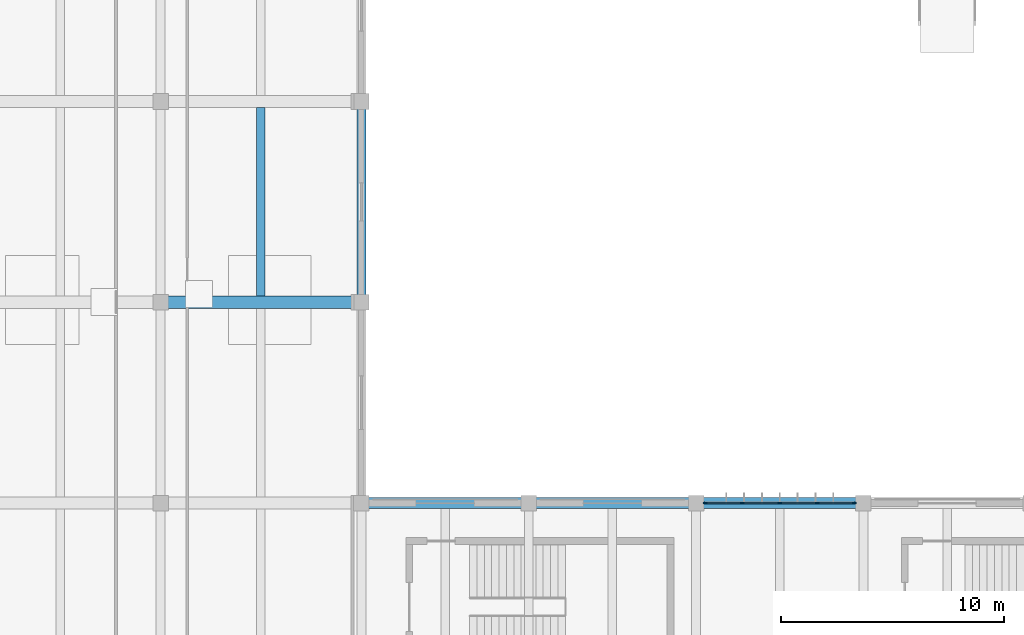
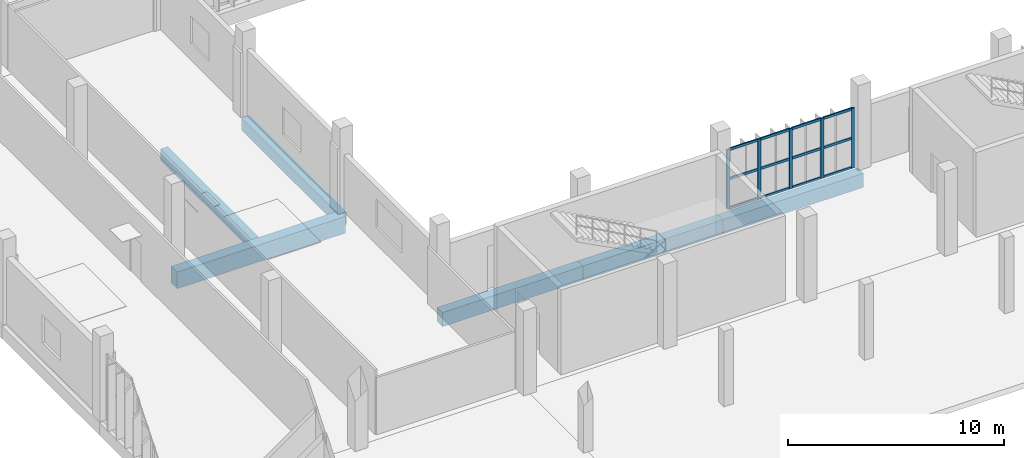
# One storey, part 10 of 72: 17 members, 6 beams, 1 element without a shape of its own.
"""IFC4 building model written with IfcOpenShell, lengths in metres."""

import ifcopenshell
import ifcopenshell.guid

model = None  # the IFC model being written
_history = None  # IfcOwnerHistory: only IFC2X3 demands one
_inside = {}  # id of a spatial element -> (the spatial element, [elements in it])
_under = {}  # id of a project, library or spatial element -> (it, [spatial elements below it])
_declared = {}  # id of a project -> (the project, [libraries it declares])
_typed = {}  # id of a type object -> (the type object, [elements of that type])
_made_of = {}  # id of a material, layer set ... -> (it, [elements and type objects made of it])


def new_model(schema):
    """Start an empty IFC model of exactly this schema.

    Asked for "IFC4X3", IfcOpenShell would pick the latest addendum, in which some entities
    have other attributes; the version numbers below select the first issue.
    IFC2X3 requires an IfcOwnerHistory on every rooted entity: one is made here for all.
    """
    global model, _history
    if schema == "IFC4X3":
        model = ifcopenshell.file(schema_version=(4, 3, 0, 0))
    else:
        model = ifcopenshell.file(schema=schema)
    _inside.clear()
    _under.clear()
    _declared.clear()
    _typed.clear()
    _made_of.clear()
    _history = None
    if model.schema == "IFC2X3":
        org = make("IfcOrganization", Name="unknown")
        user = make(
            "IfcPersonAndOrganization",
            ThePerson=make("IfcPerson", FamilyName="unknown"),
            TheOrganization=org,
        )
        app = make(
            "IfcApplication",
            ApplicationDeveloper=org,
            Version="unknown",
            ApplicationFullName="unknown",
            ApplicationIdentifier="unknown",
        )
        _history = make(
            "IfcOwnerHistory",
            OwningUser=user,
            OwningApplication=app,
            ChangeAction="ADDED",
            CreationDate=0,
        )
    return model


def make(cls, **values):
    """One entity of the class cls with the attributes given. An attribute that is None is left unset."""
    return model.create_entity(
        cls, **{name: value for name, value in values.items() if value is not None}
    )


def rooted(cls, **values):
    """An entity with a GlobalId (a new one), such as an element, a storey or a relation."""
    return make(cls, GlobalId=ifcopenshell.guid.new(), OwnerHistory=_history, **values)


def si_unit(unit_type, name, prefix=None):
    """IfcSIUnit, for example si_unit("LENGTHUNIT", "METRE", prefix="MILLI")."""
    return make("IfcSIUnit", UnitType=unit_type, Prefix=prefix, Name=name)


def assignment(units):
    """IfcUnitAssignment: the units of a project."""
    return None if units is None else make("IfcUnitAssignment", Units=units)


def point(xyz):
    """IfcCartesianPoint."""
    return None if xyz is None else make("IfcCartesianPoint", Coordinates=xyz)


def direction(xyz):
    """IfcDirection."""
    return None if xyz is None else make("IfcDirection", DirectionRatios=xyz)


def frame(location, z_axis=None, x_axis=None):
    """IfcAxis2Placement3D, a coordinate frame: its origin and axes. An axis left out is left unset."""
    return make(
        "IfcAxis2Placement3D",
        Location=point(location),
        Axis=direction(z_axis),
        RefDirection=direction(x_axis),
    )


def frame_2d(location, x_axis=None):
    """IfcAxis2Placement2D, a coordinate frame in the plane: its origin and x axis."""
    return make(
        "IfcAxis2Placement2D", Location=point(location), RefDirection=direction(x_axis)
    )


def origin():
    """The frame at (0, 0, 0) with its axes left unset."""
    return frame((0.0, 0.0, 0.0))


def origin_2d():
    """The frame at (0, 0) in the plane with its x axis left unset."""
    return frame_2d((0.0, 0.0))


def place(relative_to, where):
    """IfcLocalPlacement: puts the frame where relative to a parent placement (None: the world)."""
    return make(
        "IfcLocalPlacement", PlacementRelTo=relative_to, RelativePlacement=where
    )


def context(
    kind, dimensions, precision=None, world=None, true_north=None, identifier=None
):
    """IfcGeometricRepresentationContext, for example the 3D "Model" context."""
    return make(
        "IfcGeometricRepresentationContext",
        ContextIdentifier=identifier,
        ContextType=kind,
        CoordinateSpaceDimension=dimensions,
        Precision=precision,
        WorldCoordinateSystem=world,
        TrueNorth=true_north,
    )


def subcontext(parent, identifier, kind, view, scale=None):
    """IfcGeometricRepresentationSubContext, for example "Body" below "Model"."""
    return make(
        "IfcGeometricRepresentationSubContext",
        ContextIdentifier=identifier,
        ContextType=kind,
        ParentContext=parent,
        TargetScale=scale,
        TargetView=view,
    )


def project(units=None, contexts=None):
    """IfcProject with its units and contexts."""
    return rooted(
        "IfcProject",
        Name="project",
        RepresentationContexts=contexts,
        UnitsInContext=assignment(units),
    )


def spatial(cls, under=None, at=None, **own):
    """A site, building, storey or space (cls), placed at a placement, below another one or the project."""
    s = rooted(cls, ObjectPlacement=at, **own)
    if under is not None:
        _under.setdefault(under.id(), (under, []))[1].append(s)
    return s


def profile(cls, at=None, kind="AREA", **sizes):
    """A parametric profile (cls). Its sizes go by their IFC names, for example OverallWidth=200.0."""
    return make(cls, ProfileType=kind, Position=at, **sizes)


def rectangle(**sizes):
    """IfcRectangleProfileDef."""
    return profile("IfcRectangleProfileDef", **sizes)


def extrude(swept, where, along, depth):
    """IfcExtrudedAreaSolid: the profile swept, set in the frame where, extruded along a direction by depth."""
    return make(
        "IfcExtrudedAreaSolid",
        SweptArea=swept,
        Position=where,
        ExtrudedDirection=direction(along),
        Depth=depth,
    )


def shape(context_of_items, identifier, shape_type, items):
    """IfcShapeRepresentation: the items that make up one representation, for example the "Body"."""
    return make(
        "IfcShapeRepresentation",
        ContextOfItems=context_of_items,
        RepresentationIdentifier=identifier,
        RepresentationType=shape_type,
        Items=items,
    )


def material(Name=None, Category=None):
    """IfcMaterial."""
    return make("IfcMaterial", Name=Name, Category=Category)


def material_profile(
    of_material, cross_section, Name=None, Category=None, Priority=None
):
    """IfcMaterialProfile: a cross section and its material."""
    return make(
        "IfcMaterialProfile",
        Name=Name,
        Material=of_material,
        Profile=cross_section,
        Priority=Priority,
        Category=Category,
    )


def profile_set(profiles, Name=None, composite=None):
    """IfcMaterialProfileSet."""
    return make(
        "IfcMaterialProfileSet",
        Name=Name,
        MaterialProfiles=profiles,
        CompositeProfile=composite,
    )


def made_of(thing, what):
    """Note that an element or type object is made of a material, layer set ...; save() writes the relation."""
    if what is not None:
        _made_of.setdefault(what.id(), (what, []))[1].append(thing)
    return thing


def type_object(cls, material=None, **own):
    """A type object (cls), such as IfcWallType, which elements share."""
    return made_of(rooted(cls, **own), material)


def element(
    cls,
    number,
    at=None,
    inside=None,
    cuts=None,
    type_object=None,
    material=None,
    context=None,
    identifier="Body",
    shape_type=None,
    held_by="IfcProductDefinitionShape",
    body=None,
    shapes=None,
    **own,
):
    """One element of the class cls, such as IfcWall. Its Tag is "e" and its number.

    at: its placement. inside: the storey or other place that contains it. cuts: it is an
    opening in that element (IfcRelVoidsElement). A single representation is given by context,
    identifier, shape_type and body (its items); several are given by shapes. held_by: the class
    of the entity that holds the representations. save() writes the other relations.
    """
    e = rooted(cls, Tag="e%d" % number, ObjectPlacement=at, **own)
    if body is not None:
        shapes = [shape(context, identifier, shape_type, body)]
    if shapes is not None:
        e.Representation = make(held_by, Representations=shapes)
    if inside is not None:
        _inside.setdefault(inside.id(), (inside, []))[1].append(e)
    if cuts is not None:
        rooted(
            "IfcRelVoidsElement", RelatingBuildingElement=cuts, RelatedOpeningElement=e
        )
    if type_object is not None:
        _typed.setdefault(type_object.id(), (type_object, []))[1].append(e)
    return made_of(e, material)


def aggregate(whole, parts):
    """IfcRelAggregates: a whole, such as a stair, and the parts it consists of."""
    return rooted("IfcRelAggregates", RelatingObject=whole, RelatedObjects=parts)


def save(model, path):
    """Write the relations noted so far, then the file.

    IfcRelAggregates (storeys below a building ...), IfcRelContainedInSpatialStructure (elements
    in a storey), IfcRelDefinesByType, IfcRelAssociatesMaterial and IfcRelDeclares: one each for
    every whole, place, type object, material and project.
    """
    for whole, parts in _under.values():
        aggregate(whole, parts)
    for where, things in _inside.values():
        rooted(
            "IfcRelContainedInSpatialStructure",
            RelatedElements=things,
            RelatingStructure=where,
        )
    for kind, things in _typed.values():
        rooted("IfcRelDefinesByType", RelatedObjects=things, RelatingType=kind)
    for what, things in _made_of.values():
        rooted("IfcRelAssociatesMaterial", RelatedObjects=things, RelatingMaterial=what)
    for by, libraries in _declared.values():
        rooted("IfcRelDeclares", RelatingContext=by, RelatedDefinitions=libraries)
    model.write(path)


model = new_model("IFC4")

# Units and contexts
model_context = context("Model", 3, precision=1e-05, world=origin(), true_north=direction((0.0, 1.0)))
body_context = subcontext(model_context, "Body", "Model", "MODEL_VIEW")
ifc_project = project(units=[si_unit("LENGTHUNIT", "METRE"), si_unit("AREAUNIT", "SQUARE_METRE"), si_unit("VOLUMEUNIT", "CUBIC_METRE"), si_unit("PLANEANGLEUNIT", "RADIAN"), si_unit("MASSUNIT", "GRAM", prefix="KILO")], contexts=[model_context])

# Site, building, storey
site_placement = place(None, origin())
site = spatial("IfcSite", under=ifc_project, at=site_placement, CompositionType="ELEMENT")
building_placement = place(site_placement, origin())
building = spatial("IfcBuilding", under=site, at=building_placement, Name="Vourika Railside Aquatics Centre", CompositionType="ELEMENT")
storey_placement = place(building_placement, origin())
storey = spatial("IfcBuildingStorey", under=building, at=storey_placement, Name="L00", CompositionType="ELEMENT", Elevation=0.0)

# Beams
ifc_material_1 = material(Name="Concrete C35/45", Category="concrete")
ifc_material_profile_1 = material_profile(ifc_material_1, rectangle(XDim=0.39990234375, YDim=0.699951171875, at=origin_2d()), Name="RC 400x700")
ifc_profile_set_1 = profile_set([ifc_material_profile_1], Name="Concrete C35/45")
beam_type_1 = type_object("IfcBeamType", Name="BM-GIRD-400x700", PredefinedType="BEAM", material=ifc_profile_set_1)
beam_1_placement = place(storey_placement, frame((36.0, 75.0, -0.669921875), z_axis=(0.0, 1.0, 0.0), x_axis=(-1.0, 0.0, 0.0)))
element("IfcBeam", 1, at=beam_1_placement, inside=storey, type_object=beam_type_1, Name="Floor Girder GY-L00-216", PredefinedType="BEAM", context=body_context, shape_type="SweptSolid", body=[
    extrude(rectangle(XDim=0.39990234375, YDim=0.699951171875, at=origin_2d()), origin(), (0.0, 0.0, 1.0), 9.0),
])
ifc_material_2 = material(Name="Concrete C40/50", Category="concrete")
ifc_material_profile_2 = material_profile(ifc_material_2, rectangle(XDim=0.550048828125, YDim=0.949951171875, at=origin_2d()), Name="RC 550x950")
ifc_profile_set_2 = profile_set([ifc_material_profile_2], Name="Concrete C40/50")
beam_type_2 = type_object("IfcBeamType", Name="BM-GIRD-550x950", PredefinedType="BEAM", material=ifc_profile_set_2)
beam_2_placement = place(storey_placement, frame((27.0, 75.0, -0.794921875), z_axis=(1.0, 0.0, 0.0), x_axis=(0.0, 1.0, 0.0)))
element("IfcBeam", 2, at=beam_2_placement, inside=storey, type_object=beam_type_2, Name="Floor Beam GX-L00-115", PredefinedType="BEAM", context=body_context, shape_type="SweptSolid", body=[
    extrude(rectangle(XDim=0.550048828125, YDim=0.949951171875, at=origin_2d()), origin(), (0.0, 0.0, 1.0), 9.0),
])
ifc_material_profile_3 = material_profile(ifc_material_1, rectangle(XDim=0.3798828125, YDim=0.64990234375, at=origin_2d()), Name="RC 380x650")
ifc_profile_set_3 = profile_set([ifc_material_profile_3], Name="Concrete C35/45")
beam_type_3 = type_object("IfcBeamType", Name="BM-SEC-380x650", PredefinedType="JOIST", material=ifc_profile_set_3)
beam_3_placement = place(storey_placement, frame((31.5, 75.27490234375, -0.64501953125), z_axis=(0.0, 1.0, 0.0), x_axis=(-1.0, 0.0, 0.0)))
element("IfcBeam", 3, at=beam_3_placement, inside=storey, type_object=beam_type_3, Name="Secondary Joist JY-L00-425", PredefinedType="JOIST", context=body_context, shape_type="SweptSolid", body=[
    extrude(rectangle(XDim=0.3798828125, YDim=0.64990234375, at=origin_2d()), origin(), (0.0, 0.0, 1.0), 8.4501953125),
])
ifc_material_profile_4 = material_profile(ifc_material_2, rectangle(XDim=0.5, YDim=0.800048828125, at=origin_2d()), Name="RC 500x800")
ifc_profile_set_4 = profile_set([ifc_material_profile_4], Name="Concrete C40/50")
beam_type_4 = type_object("IfcBeamType", Name="BM-TIE-500x800", PredefinedType="BEAM", material=ifc_profile_set_4)
for number, where, z_axis, x_axis, name in (
    (4, (36.0, 66.0, -0.719970703125), (1.0, 0.0, 0.0), (0.0, 1.0, 0.0), "Floor Beam GX-L00-097"),
    (5, (43.5, 66.0, -0.719970703125), (1.0, 0.0, 0.0), (0.0, 1.0, 0.0), "Floor Beam GX-L00-098"),
    (6, (51.0, 66.0, -0.719970703125), (1.0, 0.0, 0.0), (0.0, 1.0, 0.0), "Floor Beam GX-L00-099"),
):
    element("IfcBeam", number, at=place(storey_placement, frame(where, z_axis=z_axis, x_axis=x_axis)), inside=storey, type_object=beam_type_4, Name=name, PredefinedType="BEAM", context=body_context, shape_type="SweptSolid", body=[
        extrude(rectangle(XDim=0.5, YDim=0.800048828125, at=origin_2d()), origin(), (0.0, 0.0, 1.0), 7.5),
    ])

# Curtain wall, members
ifc_material_3 = material(Name="Anodized thermally broken aluminium", Category="aluminium")
curtain_wall_type = type_object("IfcCurtainWallType", Name="CW-CRT0", PredefinedType="NOTDEFINED", material=ifc_material_3)
curtain_wall_placement = place(storey_placement, origin())
curtain_wall = element("IfcCurtainWall", 7, at=curtain_wall_placement, inside=storey, type_object=curtain_wall_type, Name="North Courtyard Undercroft Curtain Wall 3", PredefinedType="NOTDEFINED")
ifc_material_4 = material(Name="Anodized aluminium mullion", Category="aluminium")
ifc_material_profile_5 = material_profile(ifc_material_4, rectangle(XDim=0.070068359375, YDim=0.177978515625, at=origin_2d()), Name="ALU-M 70x178")
ifc_profile_set_5 = profile_set([ifc_material_profile_5], Name="Anodized aluminium mullion")
member_type_1 = type_object("IfcMemberType", Name="CWM-CRT0", PredefinedType="MULLION", material=ifc_profile_set_5)
member_1_placement = place(storey_placement, frame((58.0849609375, 66.0, 0.0), z_axis=(0.0, 0.0, 1.0), x_axis=(0.0, -1.0, 0.0)))
member_1 = element("IfcMember", 8, at=member_1_placement, type_object=member_type_1, Name="CW12 mullion 1", PredefinedType="MULLION", context=body_context, shape_type="SweptSolid", body=[
    extrude(rectangle(XDim=0.070068359375, YDim=0.177978515625, at=origin_2d()), origin(), (0.0, 0.0, 1.0), 3.3798828125),
])
member_2_placement = place(storey_placement, frame((56.43505859375, 66.0, 0.0), z_axis=(0.0, 0.0, 1.0), x_axis=(0.0, -1.0, 0.0)))
member_2 = element("IfcMember", 9, at=member_2_placement, type_object=member_type_1, Name="CW12 mullion 2", PredefinedType="MULLION", context=body_context, shape_type="SweptSolid", body=[
    extrude(rectangle(XDim=0.070068359375, YDim=0.177978515625, at=origin_2d()), origin(), (0.0, 0.0, 1.0), 3.3798828125),
])
member_3_placement = place(storey_placement, frame((54.75, 66.0, 0.0), z_axis=(0.0, 0.0, 1.0), x_axis=(0.0, -1.0, 0.0)))
member_3 = element("IfcMember", 10, at=member_3_placement, type_object=member_type_1, Name="CW12 mullion 3", PredefinedType="MULLION", context=body_context, shape_type="SweptSolid", body=[
    extrude(rectangle(XDim=0.070068359375, YDim=0.177978515625, at=origin_2d()), origin(), (0.0, 0.0, 1.0), 3.3798828125),
])
member_4_placement = place(storey_placement, frame((53.06494140625, 66.0, 0.0), z_axis=(0.0, 0.0, 1.0), x_axis=(0.0, -1.0, 0.0)))
member_4 = element("IfcMember", 11, at=member_4_placement, type_object=member_type_1, Name="CW12 mullion 4", PredefinedType="MULLION", context=body_context, shape_type="SweptSolid", body=[
    extrude(rectangle(XDim=0.070068359375, YDim=0.177978515625, at=origin_2d()), origin(), (0.0, 0.0, 1.0), 3.3798828125),
])
member_5_placement = place(storey_placement, frame((51.4150390625, 66.0, 0.0), z_axis=(0.0, 0.0, 1.0), x_axis=(0.0, -1.0, 0.0)))
member_5 = element("IfcMember", 12, at=member_5_placement, type_object=member_type_1, Name="CW12 mullion 5", PredefinedType="MULLION", context=body_context, shape_type="SweptSolid", body=[
    extrude(rectangle(XDim=0.070068359375, YDim=0.177978515625, at=origin_2d()), origin(), (0.0, 0.0, 1.0), 3.3798828125),
])
ifc_material_5 = material(Name="Anodized aluminium transom", Category="aluminium")
ifc_material_profile_6 = material_profile(ifc_material_5, rectangle(XDim=0.070068359375, YDim=0.139892578125, at=origin_2d()), Name="ALU-T 70x140")
ifc_profile_set_6 = profile_set([ifc_material_profile_6], Name="Anodized aluminium transom")
member_type_2 = type_object("IfcMemberType", Name="CWT-CRT0", PredefinedType="USERDEFINED", material=ifc_profile_set_6)
member_6_placement = place(storey_placement, frame((58.050048828125, 66.0, 0.034912109375), z_axis=(-1.0, 0.0, 0.0), x_axis=(0.0, -1.0, 0.0)))
member_6 = element("IfcMember", 13, at=member_6_placement, type_object=member_type_2, Name="CW12 transom 1.1", ObjectType="TRANSOM", PredefinedType="USERDEFINED", context=body_context, shape_type="SweptSolid", body=[
    extrude(rectangle(XDim=0.070068359375, YDim=0.139892578125, at=origin_2d()), origin(), (0.0, 0.0, 1.0), 1.580078125),
])
member_7_placement = place(storey_placement, frame((58.050048828125, 66.0, 1.68994140625), z_axis=(-1.0, 0.0, 0.0), x_axis=(0.0, -1.0, 0.0)))
member_7 = element("IfcMember", 14, at=member_7_placement, type_object=member_type_2, Name="CW12 transom 1.2", ObjectType="TRANSOM", PredefinedType="USERDEFINED", context=body_context, shape_type="SweptSolid", body=[
    extrude(rectangle(XDim=0.070068359375, YDim=0.139892578125, at=origin_2d()), origin(), (0.0, 0.0, 1.0), 1.580078125),
])
member_8_placement = place(storey_placement, frame((58.050048828125, 66.0, 3.344970703125), z_axis=(-1.0, 0.0, 0.0), x_axis=(0.0, -1.0, 0.0)))
member_8 = element("IfcMember", 15, at=member_8_placement, type_object=member_type_2, Name="CW12 transom 1.3", ObjectType="TRANSOM", PredefinedType="USERDEFINED", context=body_context, shape_type="SweptSolid", body=[
    extrude(rectangle(XDim=0.070068359375, YDim=0.139892578125, at=origin_2d()), origin(), (0.0, 0.0, 1.0), 1.580078125),
])
member_9_placement = place(storey_placement, frame((56.39990234375, 66.0, 0.034912109375), z_axis=(-1.0, 0.0, 0.0), x_axis=(0.0, -1.0, 0.0)))
member_9 = element("IfcMember", 16, at=member_9_placement, type_object=member_type_2, Name="CW12 transom 2.1", ObjectType="TRANSOM", PredefinedType="USERDEFINED", context=body_context, shape_type="SweptSolid", body=[
    extrude(rectangle(XDim=0.070068359375, YDim=0.139892578125, at=origin_2d()), origin(), (0.0, 0.0, 1.0), 1.614990234375),
])
member_10_placement = place(storey_placement, frame((56.39990234375, 66.0, 1.68994140625), z_axis=(-1.0, 0.0, 0.0), x_axis=(0.0, -1.0, 0.0)))
member_10 = element("IfcMember", 17, at=member_10_placement, type_object=member_type_2, Name="CW12 transom 2.2", ObjectType="TRANSOM", PredefinedType="USERDEFINED", context=body_context, shape_type="SweptSolid", body=[
    extrude(rectangle(XDim=0.070068359375, YDim=0.139892578125, at=origin_2d()), origin(), (0.0, 0.0, 1.0), 1.614990234375),
])
member_11_placement = place(storey_placement, frame((56.39990234375, 66.0, 3.344970703125), z_axis=(-1.0, 0.0, 0.0), x_axis=(0.0, -1.0, 0.0)))
member_11 = element("IfcMember", 18, at=member_11_placement, type_object=member_type_2, Name="CW12 transom 2.3", ObjectType="TRANSOM", PredefinedType="USERDEFINED", context=body_context, shape_type="SweptSolid", body=[
    extrude(rectangle(XDim=0.070068359375, YDim=0.139892578125, at=origin_2d()), origin(), (0.0, 0.0, 1.0), 1.614990234375),
])
member_12_placement = place(storey_placement, frame((54.715087890625, 66.0, 0.034912109375), z_axis=(-1.0, 0.0, 0.0), x_axis=(0.0, -1.0, 0.0)))
member_12 = element("IfcMember", 19, at=member_12_placement, type_object=member_type_2, Name="CW12 transom 3.1", ObjectType="TRANSOM", PredefinedType="USERDEFINED", context=body_context, shape_type="SweptSolid", body=[
    extrude(rectangle(XDim=0.070068359375, YDim=0.139892578125, at=origin_2d()), origin(), (0.0, 0.0, 1.0), 1.614990234375),
])
member_13_placement = place(storey_placement, frame((54.715087890625, 66.0, 1.68994140625), z_axis=(-1.0, 0.0, 0.0), x_axis=(0.0, -1.0, 0.0)))
member_13 = element("IfcMember", 20, at=member_13_placement, type_object=member_type_2, Name="CW12 transom 3.2", ObjectType="TRANSOM", PredefinedType="USERDEFINED", context=body_context, shape_type="SweptSolid", body=[
    extrude(rectangle(XDim=0.070068359375, YDim=0.139892578125, at=origin_2d()), origin(), (0.0, 0.0, 1.0), 1.614990234375),
])
member_14_placement = place(storey_placement, frame((54.715087890625, 66.0, 3.344970703125), z_axis=(-1.0, 0.0, 0.0), x_axis=(0.0, -1.0, 0.0)))
member_14 = element("IfcMember", 21, at=member_14_placement, type_object=member_type_2, Name="CW12 transom 3.3", ObjectType="TRANSOM", PredefinedType="USERDEFINED", context=body_context, shape_type="SweptSolid", body=[
    extrude(rectangle(XDim=0.070068359375, YDim=0.139892578125, at=origin_2d()), origin(), (0.0, 0.0, 1.0), 1.614990234375),
])
member_15_placement = place(storey_placement, frame((53.030029296875, 66.0, 0.034912109375), z_axis=(-1.0, 0.0, 0.0), x_axis=(0.0, -1.0, 0.0)))
member_15 = element("IfcMember", 22, at=member_15_placement, type_object=member_type_2, Name="CW12 transom 4.1", ObjectType="TRANSOM", PredefinedType="USERDEFINED", context=body_context, shape_type="SweptSolid", body=[
    extrude(rectangle(XDim=0.070068359375, YDim=0.139892578125, at=origin_2d()), origin(), (0.0, 0.0, 1.0), 1.580078125),
])
member_16_placement = place(storey_placement, frame((53.030029296875, 66.0, 1.68994140625), z_axis=(-1.0, 0.0, 0.0), x_axis=(0.0, -1.0, 0.0)))
member_16 = element("IfcMember", 23, at=member_16_placement, type_object=member_type_2, Name="CW12 transom 4.2", ObjectType="TRANSOM", PredefinedType="USERDEFINED", context=body_context, shape_type="SweptSolid", body=[
    extrude(rectangle(XDim=0.070068359375, YDim=0.139892578125, at=origin_2d()), origin(), (0.0, 0.0, 1.0), 1.580078125),
])
member_17_placement = place(storey_placement, frame((53.030029296875, 66.0, 3.344970703125), z_axis=(-1.0, 0.0, 0.0), x_axis=(0.0, -1.0, 0.0)))
member_17 = element("IfcMember", 24, at=member_17_placement, type_object=member_type_2, Name="CW12 transom 4.3", ObjectType="TRANSOM", PredefinedType="USERDEFINED", context=body_context, shape_type="SweptSolid", body=[
    extrude(rectangle(XDim=0.070068359375, YDim=0.139892578125, at=origin_2d()), origin(), (0.0, 0.0, 1.0), 1.580078125),
])
aggregate(curtain_wall, [member_1, member_2, member_3, member_4, member_5, member_6, member_7, member_8, member_9, member_10, member_11, member_12, member_13, member_14, member_15, member_16, member_17])

save(model, "model.ifc")
